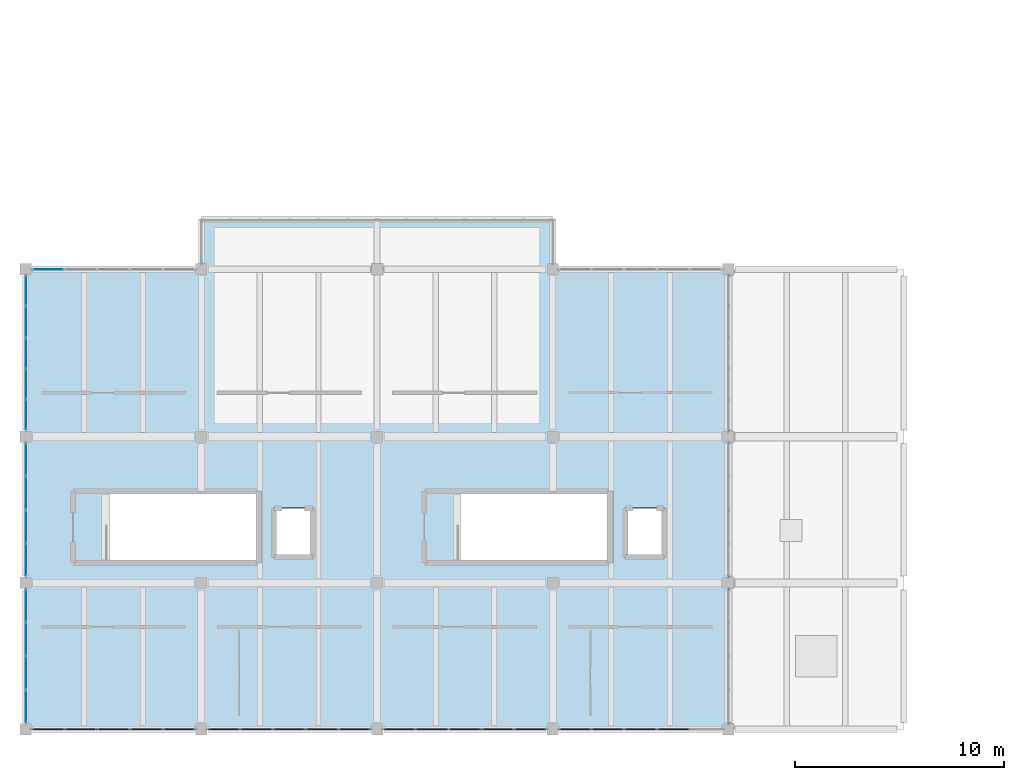
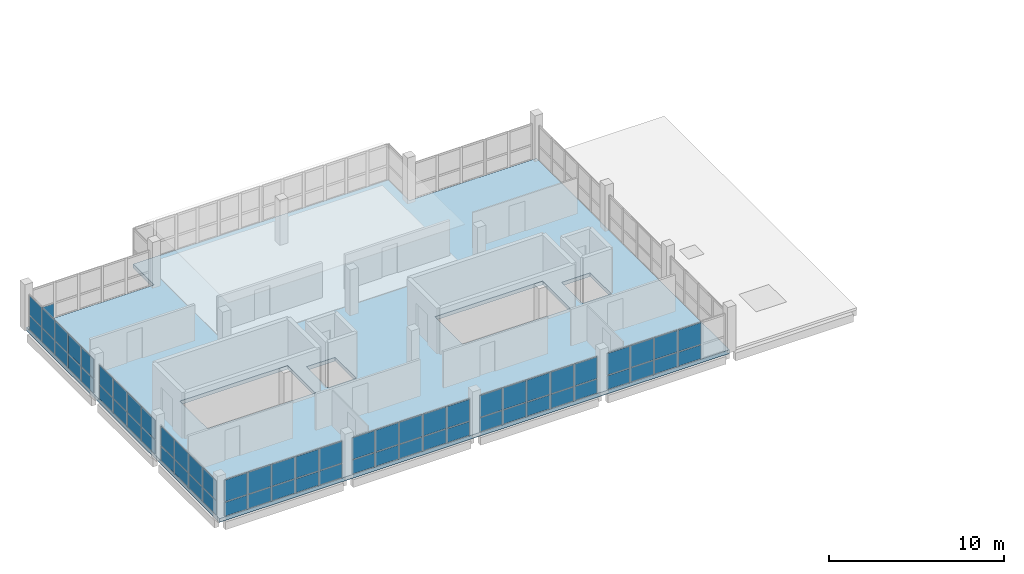
# One storey, part 19 of 24: 65 plates, 1 slab, 8 elements without a shape of their own.
"""IFC4 building model written with IfcOpenShell, lengths in metres."""

import ifcopenshell
import ifcopenshell.guid

model = None  # the IFC model being written
_history = None  # IfcOwnerHistory: only IFC2X3 demands one
_inside = {}  # id of a spatial element -> (the spatial element, [elements in it])
_under = {}  # id of a project, library or spatial element -> (it, [spatial elements below it])
_declared = {}  # id of a project -> (the project, [libraries it declares])
_typed = {}  # id of a type object -> (the type object, [elements of that type])
_made_of = {}  # id of a material, layer set ... -> (it, [elements and type objects made of it])


def new_model(schema):
    """Start an empty IFC model of exactly this schema.

    Asked for "IFC4X3", IfcOpenShell would pick the latest addendum, in which some entities
    have other attributes; the version numbers below select the first issue.
    IFC2X3 requires an IfcOwnerHistory on every rooted entity: one is made here for all.
    """
    global model, _history
    if schema == "IFC4X3":
        model = ifcopenshell.file(schema_version=(4, 3, 0, 0))
    else:
        model = ifcopenshell.file(schema=schema)
    _inside.clear()
    _under.clear()
    _declared.clear()
    _typed.clear()
    _made_of.clear()
    _history = None
    if model.schema == "IFC2X3":
        org = make("IfcOrganization", Name="unknown")
        user = make(
            "IfcPersonAndOrganization",
            ThePerson=make("IfcPerson", FamilyName="unknown"),
            TheOrganization=org,
        )
        app = make(
            "IfcApplication",
            ApplicationDeveloper=org,
            Version="unknown",
            ApplicationFullName="unknown",
            ApplicationIdentifier="unknown",
        )
        _history = make(
            "IfcOwnerHistory",
            OwningUser=user,
            OwningApplication=app,
            ChangeAction="ADDED",
            CreationDate=0,
        )
    return model


def make(cls, **values):
    """One entity of the class cls with the attributes given. An attribute that is None is left unset."""
    return model.create_entity(
        cls, **{name: value for name, value in values.items() if value is not None}
    )


def rooted(cls, **values):
    """An entity with a GlobalId (a new one), such as an element, a storey or a relation."""
    return make(cls, GlobalId=ifcopenshell.guid.new(), OwnerHistory=_history, **values)


def si_unit(unit_type, name, prefix=None):
    """IfcSIUnit, for example si_unit("LENGTHUNIT", "METRE", prefix="MILLI")."""
    return make("IfcSIUnit", UnitType=unit_type, Prefix=prefix, Name=name)


def assignment(units):
    """IfcUnitAssignment: the units of a project."""
    return None if units is None else make("IfcUnitAssignment", Units=units)


def point(xyz):
    """IfcCartesianPoint."""
    return None if xyz is None else make("IfcCartesianPoint", Coordinates=xyz)


def direction(xyz):
    """IfcDirection."""
    return None if xyz is None else make("IfcDirection", DirectionRatios=xyz)


def frame(location, z_axis=None, x_axis=None):
    """IfcAxis2Placement3D, a coordinate frame: its origin and axes. An axis left out is left unset."""
    return make(
        "IfcAxis2Placement3D",
        Location=point(location),
        Axis=direction(z_axis),
        RefDirection=direction(x_axis),
    )


def frame_2d(location, x_axis=None):
    """IfcAxis2Placement2D, a coordinate frame in the plane: its origin and x axis."""
    return make(
        "IfcAxis2Placement2D", Location=point(location), RefDirection=direction(x_axis)
    )


def origin():
    """The frame at (0, 0, 0) with its axes left unset."""
    return frame((0.0, 0.0, 0.0))


def origin_2d():
    """The frame at (0, 0) in the plane with its x axis left unset."""
    return frame_2d((0.0, 0.0))


def place(relative_to, where):
    """IfcLocalPlacement: puts the frame where relative to a parent placement (None: the world)."""
    return make(
        "IfcLocalPlacement", PlacementRelTo=relative_to, RelativePlacement=where
    )


def context(
    kind, dimensions, precision=None, world=None, true_north=None, identifier=None
):
    """IfcGeometricRepresentationContext, for example the 3D "Model" context."""
    return make(
        "IfcGeometricRepresentationContext",
        ContextIdentifier=identifier,
        ContextType=kind,
        CoordinateSpaceDimension=dimensions,
        Precision=precision,
        WorldCoordinateSystem=world,
        TrueNorth=true_north,
    )


def subcontext(parent, identifier, kind, view, scale=None):
    """IfcGeometricRepresentationSubContext, for example "Body" below "Model"."""
    return make(
        "IfcGeometricRepresentationSubContext",
        ContextIdentifier=identifier,
        ContextType=kind,
        ParentContext=parent,
        TargetScale=scale,
        TargetView=view,
    )


def project(units=None, contexts=None):
    """IfcProject with its units and contexts."""
    return rooted(
        "IfcProject",
        Name="project",
        RepresentationContexts=contexts,
        UnitsInContext=assignment(units),
    )


def spatial(cls, under=None, at=None, **own):
    """A site, building, storey or space (cls), placed at a placement, below another one or the project."""
    s = rooted(cls, ObjectPlacement=at, **own)
    if under is not None:
        _under.setdefault(under.id(), (under, []))[1].append(s)
    return s


def polyline(points):
    """IfcPolyline through the points."""
    return make("IfcPolyline", Points=[point(p) for p in points])


def profile(cls, at=None, kind="AREA", **sizes):
    """A parametric profile (cls). Its sizes go by their IFC names, for example OverallWidth=200.0."""
    return make(cls, ProfileType=kind, Position=at, **sizes)


def rectangle(**sizes):
    """IfcRectangleProfileDef."""
    return profile("IfcRectangleProfileDef", **sizes)


def outline(outer, holes=None, kind="AREA"):
    """IfcArbitraryClosedProfileDef: a profile drawn as a closed curve; with holes, ...WithVoids."""
    if holes is None:
        return make("IfcArbitraryClosedProfileDef", ProfileType=kind, OuterCurve=outer)
    return make(
        "IfcArbitraryProfileDefWithVoids",
        ProfileType=kind,
        OuterCurve=outer,
        InnerCurves=holes,
    )


def extrude(swept, where, along, depth):
    """IfcExtrudedAreaSolid: the profile swept, set in the frame where, extruded along a direction by depth."""
    return make(
        "IfcExtrudedAreaSolid",
        SweptArea=swept,
        Position=where,
        ExtrudedDirection=direction(along),
        Depth=depth,
    )


def shape(context_of_items, identifier, shape_type, items):
    """IfcShapeRepresentation: the items that make up one representation, for example the "Body"."""
    return make(
        "IfcShapeRepresentation",
        ContextOfItems=context_of_items,
        RepresentationIdentifier=identifier,
        RepresentationType=shape_type,
        Items=items,
    )


def material(Name=None, Category=None):
    """IfcMaterial."""
    return make("IfcMaterial", Name=Name, Category=Category)


def layer(
    of_material, thickness, ventilated=None, Name=None, Category=None, Priority=None
):
    """IfcMaterialLayer: one layer of a wall or slab, of a material (None: an air gap)."""
    return make(
        "IfcMaterialLayer",
        Material=of_material,
        LayerThickness=thickness,
        IsVentilated=ventilated,
        Name=Name,
        Category=Category,
        Priority=Priority,
    )


def layer_set(layers, Name=None):
    """IfcMaterialLayerSet."""
    return make("IfcMaterialLayerSet", MaterialLayers=layers, LayerSetName=Name)


def made_of(thing, what):
    """Note that an element or type object is made of a material, layer set ...; save() writes the relation."""
    if what is not None:
        _made_of.setdefault(what.id(), (what, []))[1].append(thing)
    return thing


def type_object(cls, material=None, **own):
    """A type object (cls), such as IfcWallType, which elements share."""
    return made_of(rooted(cls, **own), material)


def element(
    cls,
    number,
    at=None,
    inside=None,
    cuts=None,
    type_object=None,
    material=None,
    context=None,
    identifier="Body",
    shape_type=None,
    held_by="IfcProductDefinitionShape",
    body=None,
    shapes=None,
    **own,
):
    """One element of the class cls, such as IfcWall. Its Tag is "e" and its number.

    at: its placement. inside: the storey or other place that contains it. cuts: it is an
    opening in that element (IfcRelVoidsElement). A single representation is given by context,
    identifier, shape_type and body (its items); several are given by shapes. held_by: the class
    of the entity that holds the representations. save() writes the other relations.
    """
    e = rooted(cls, Tag="e%d" % number, ObjectPlacement=at, **own)
    if body is not None:
        shapes = [shape(context, identifier, shape_type, body)]
    if shapes is not None:
        e.Representation = make(held_by, Representations=shapes)
    if inside is not None:
        _inside.setdefault(inside.id(), (inside, []))[1].append(e)
    if cuts is not None:
        rooted(
            "IfcRelVoidsElement", RelatingBuildingElement=cuts, RelatedOpeningElement=e
        )
    if type_object is not None:
        _typed.setdefault(type_object.id(), (type_object, []))[1].append(e)
    return made_of(e, material)


def aggregate(whole, parts):
    """IfcRelAggregates: a whole, such as a stair, and the parts it consists of."""
    return rooted("IfcRelAggregates", RelatingObject=whole, RelatedObjects=parts)


def save(model, path):
    """Write the relations noted so far, then the file.

    IfcRelAggregates (storeys below a building ...), IfcRelContainedInSpatialStructure (elements
    in a storey), IfcRelDefinesByType, IfcRelAssociatesMaterial and IfcRelDeclares: one each for
    every whole, place, type object, material and project.
    """
    for whole, parts in _under.values():
        aggregate(whole, parts)
    for where, things in _inside.values():
        rooted(
            "IfcRelContainedInSpatialStructure",
            RelatedElements=things,
            RelatingStructure=where,
        )
    for kind, things in _typed.values():
        rooted("IfcRelDefinesByType", RelatedObjects=things, RelatingType=kind)
    for what, things in _made_of.values():
        rooted("IfcRelAssociatesMaterial", RelatedObjects=things, RelatingMaterial=what)
    for by, libraries in _declared.values():
        rooted("IfcRelDeclares", RelatingContext=by, RelatedDefinitions=libraries)
    model.write(path)


model = new_model("IFC4")

# Units and contexts
model_context = context("Model", 3, precision=1e-05, world=origin(), true_north=direction((0.0, 1.0)))
body_context = subcontext(model_context, "Body", "Model", "MODEL_VIEW")
ifc_project = project(units=[si_unit("LENGTHUNIT", "METRE"), si_unit("AREAUNIT", "SQUARE_METRE"), si_unit("VOLUMEUNIT", "CUBIC_METRE"), si_unit("PLANEANGLEUNIT", "RADIAN"), si_unit("MASSUNIT", "GRAM", prefix="KILO"), si_unit("THERMODYNAMICTEMPERATUREUNIT", "KELVIN"), si_unit("POWERUNIT", "WATT")], contexts=[model_context])

# Site, building, storey
site_placement = place(None, origin())
site = spatial("IfcSite", under=ifc_project, at=site_placement, CompositionType="ELEMENT")
building_placement = place(site_placement, origin())
building = spatial("IfcBuilding", under=site, at=building_placement, Name="Mavoryth Pier Ferry Terminal", CompositionType="ELEMENT")
storey_placement = place(building_placement, frame((0.0, 0.0, 16.320068359375)))
storey = spatial("IfcBuildingStorey", under=building, at=storey_placement, Name="L04", CompositionType="ELEMENT", Elevation=16.320068359375)

# Curtain wall, plate
ifc_material_1 = material(Name="Anodised Aluminium and Solar-Control Low-E Glass", Category="aluminium")
ifc_layer_1 = layer(ifc_material_1, 0.260009765625, Name="Anodised Aluminium and Solar-Control Low-E Glass", Category="aluminium")
ifc_layer_set_1 = layer_set([ifc_layer_1], Name="Anodised Aluminium and Solar-Control Low-E Glass - CW-VTSBridge-Mod1500")
curtain_wall_type = type_object("IfcCurtainWallType", Name="CW-VTSBridge-Mod1500", PredefinedType="USERDEFINED", material=ifc_layer_set_1)
curtain_wall_1_placement = place(storey_placement, origin())
curtain_wall_1 = element("IfcCurtainWall", 1, at=curtain_wall_1_placement, inside=storey, type_object=curtain_wall_type, Name="Curtain Wall CW-0422-150", ObjectType="UNITISED CURTAIN WALL", PredefinedType="USERDEFINED")
ifc_material_2 = material(Name="Solar-Control Low-E Laminated Double Glazing", Category="glass")
ifc_layer_2 = layer(ifc_material_2, 0.02392578125, Name="Solar-Control Low-E Laminated Double Glazing", Category="glass")
ifc_layer_set_2 = layer_set([ifc_layer_2], Name="Solar-Control Low-E Laminated Double Glazing - Panel-LowE-DGU-24")
plate_type_1 = type_object("IfcPlateType", Name="Panel-LowE-DGU-24", PredefinedType="CURTAIN_PANEL", material=ifc_layer_set_2)
plate_1_placement = place(storey_placement, frame((43.074951171875, 22.0, 0.06005859375), z_axis=(0.0, 0.0, 1.0), x_axis=(-1.0, 0.0, 0.0)))
plate_1 = element("IfcPlate", 2, at=plate_1_placement, type_object=plate_type_1, Name="CW07 panel 5.1", PredefinedType="CURTAIN_PANEL", context=body_context, shape_type="SweptSolid", body=[
    extrude(rectangle(XDim=1.47998046875, YDim=0.02392578125, at=origin_2d()), origin(), (0.0, 0.0, 1.0), 0.9599609375),
])
aggregate(curtain_wall_1, [plate_1])

# Curtain wall, plates
curtain_wall_2_placement = place(storey_placement, origin())
curtain_wall_2 = element("IfcCurtainWall", 3, at=curtain_wall_2_placement, inside=storey, type_object=curtain_wall_type, Name="Curtain Wall CW-0422-162", ObjectType="UNITISED CURTAIN WALL", PredefinedType="USERDEFINED")
plate_2_placement = place(storey_placement, frame((42.0, 5.90380859375, 0.06005859375), z_axis=(0.0, 0.0, 1.0), x_axis=(0.0, -1.0, 0.0)))
plate_2 = element("IfcPlate", 4, at=plate_2_placement, type_object=plate_type_1, Name="CW07 panel 1.1", PredefinedType="CURTAIN_PANEL", context=body_context, shape_type="SweptSolid", body=[
    extrude(rectangle(XDim=1.5224609375, YDim=0.02392578125, at=origin_2d()), origin(), (0.0, 0.0, 1.0), 0.9599609375),
])
plate_3_placement = place(storey_placement, frame((42.0, 5.90380859375, 1.079833984375), z_axis=(0.0, 0.0, 1.0), x_axis=(0.0, -1.0, 0.0)))
plate_3 = element("IfcPlate", 5, at=plate_3_placement, type_object=plate_type_1, Name="CW07 panel 1.2", PredefinedType="CURTAIN_PANEL", context=body_context, shape_type="SweptSolid", body=[
    extrude(rectangle(XDim=1.5224609375, YDim=0.02392578125, at=origin_2d()), origin(), (0.0, 0.0, 1.0), 1.3349609375),
])
plate_4_placement = place(storey_placement, frame((42.0, 4.30615234375, 0.06005859375), z_axis=(0.0, 0.0, 1.0), x_axis=(0.0, -1.0, 0.0)))
plate_4 = element("IfcPlate", 6, at=plate_4_placement, type_object=plate_type_1, Name="CW07 panel 2.1", PredefinedType="CURTAIN_PANEL", context=body_context, shape_type="SweptSolid", body=[
    extrude(rectangle(XDim=1.552490234375, YDim=0.02392578125, at=origin_2d()), origin(), (0.0, 0.0, 1.0), 0.9599609375),
])
plate_5_placement = place(storey_placement, frame((42.0, 4.30615234375, 1.079833984375), z_axis=(0.0, 0.0, 1.0), x_axis=(0.0, -1.0, 0.0)))
plate_5 = element("IfcPlate", 7, at=plate_5_placement, type_object=plate_type_1, Name="CW07 panel 2.2", PredefinedType="CURTAIN_PANEL", context=body_context, shape_type="SweptSolid", body=[
    extrude(rectangle(XDim=1.552490234375, YDim=0.02392578125, at=origin_2d()), origin(), (0.0, 0.0, 1.0), 1.3349609375),
])
plate_6_placement = place(storey_placement, frame((42.0, 2.69384765625, 0.06005859375), z_axis=(0.0, 0.0, 1.0), x_axis=(0.0, -1.0, 0.0)))
plate_6 = element("IfcPlate", 8, at=plate_6_placement, type_object=plate_type_1, Name="CW07 panel 3.1", PredefinedType="CURTAIN_PANEL", context=body_context, shape_type="SweptSolid", body=[
    extrude(rectangle(XDim=1.552490234375, YDim=0.02392578125, at=origin_2d()), origin(), (0.0, 0.0, 1.0), 0.9599609375),
])
plate_7_placement = place(storey_placement, frame((42.0, 2.69384765625, 1.079833984375), z_axis=(0.0, 0.0, 1.0), x_axis=(0.0, -1.0, 0.0)))
plate_7 = element("IfcPlate", 9, at=plate_7_placement, type_object=plate_type_1, Name="CW07 panel 3.2", PredefinedType="CURTAIN_PANEL", context=body_context, shape_type="SweptSolid", body=[
    extrude(rectangle(XDim=1.552490234375, YDim=0.02392578125, at=origin_2d()), origin(), (0.0, 0.0, 1.0), 1.3349609375),
])
plate_8_placement = place(storey_placement, frame((42.0, 1.09619140625, 0.06005859375), z_axis=(0.0, 0.0, 1.0), x_axis=(0.0, -1.0, 0.0)))
plate_8 = element("IfcPlate", 10, at=plate_8_placement, type_object=plate_type_1, Name="CW07 panel 4.1", PredefinedType="CURTAIN_PANEL", context=body_context, shape_type="SweptSolid", body=[
    extrude(rectangle(XDim=1.5224609375, YDim=0.02392578125, at=origin_2d()), origin(), (0.0, 0.0, 1.0), 0.9599609375),
])
plate_9_placement = place(storey_placement, frame((42.0, 1.09619140625, 1.079833984375), z_axis=(0.0, 0.0, 1.0), x_axis=(0.0, -1.0, 0.0)))
plate_9 = element("IfcPlate", 11, at=plate_9_placement, type_object=plate_type_1, Name="CW07 panel 4.2", PredefinedType="CURTAIN_PANEL", context=body_context, shape_type="SweptSolid", body=[
    extrude(rectangle(XDim=1.5224609375, YDim=0.02392578125, at=origin_2d()), origin(), (0.0, 0.0, 1.0), 1.3349609375),
])
aggregate(curtain_wall_2, [plate_2, plate_3, plate_4, plate_5, plate_6, plate_7, plate_8, plate_9])

curtain_wall_3_placement = place(storey_placement, origin())
curtain_wall_3 = element("IfcCurtainWall", 12, at=curtain_wall_3_placement, inside=storey, type_object=curtain_wall_type, Name="Curtain Wall CW-0422-163", ObjectType="UNITISED CURTAIN WALL", PredefinedType="USERDEFINED")
plate_10_placement = place(storey_placement, frame((42.0, 12.90380859375, 0.06005859375), z_axis=(0.0, 0.0, 1.0), x_axis=(0.0, -1.0, 0.0)))
plate_10 = element("IfcPlate", 13, at=plate_10_placement, type_object=plate_type_1, Name="CW07 panel 1.1", PredefinedType="CURTAIN_PANEL", context=body_context, shape_type="SweptSolid", body=[
    extrude(rectangle(XDim=1.5224609375, YDim=0.02392578125, at=origin_2d()), origin(), (0.0, 0.0, 1.0), 0.9599609375),
])
plate_11_placement = place(storey_placement, frame((42.0, 12.90380859375, 1.079833984375), z_axis=(0.0, 0.0, 1.0), x_axis=(0.0, -1.0, 0.0)))
plate_11 = element("IfcPlate", 14, at=plate_11_placement, type_object=plate_type_1, Name="CW07 panel 1.2", PredefinedType="CURTAIN_PANEL", context=body_context, shape_type="SweptSolid", body=[
    extrude(rectangle(XDim=1.5224609375, YDim=0.02392578125, at=origin_2d()), origin(), (0.0, 0.0, 1.0), 1.3349609375),
])
plate_12_placement = place(storey_placement, frame((42.0, 11.30615234375, 0.06005859375), z_axis=(0.0, 0.0, 1.0), x_axis=(0.0, -1.0, 0.0)))
plate_12 = element("IfcPlate", 15, at=plate_12_placement, type_object=plate_type_1, Name="CW07 panel 2.1", PredefinedType="CURTAIN_PANEL", context=body_context, shape_type="SweptSolid", body=[
    extrude(rectangle(XDim=1.552490234375, YDim=0.02392578125, at=origin_2d()), origin(), (0.0, 0.0, 1.0), 0.9599609375),
])
plate_13_placement = place(storey_placement, frame((42.0, 11.30615234375, 1.079833984375), z_axis=(0.0, 0.0, 1.0), x_axis=(0.0, -1.0, 0.0)))
plate_13 = element("IfcPlate", 16, at=plate_13_placement, type_object=plate_type_1, Name="CW07 panel 2.2", PredefinedType="CURTAIN_PANEL", context=body_context, shape_type="SweptSolid", body=[
    extrude(rectangle(XDim=1.552490234375, YDim=0.02392578125, at=origin_2d()), origin(), (0.0, 0.0, 1.0), 1.3349609375),
])
plate_14_placement = place(storey_placement, frame((42.0, 9.69384765625, 0.06005859375), z_axis=(0.0, 0.0, 1.0), x_axis=(0.0, -1.0, 0.0)))
plate_14 = element("IfcPlate", 17, at=plate_14_placement, type_object=plate_type_1, Name="CW07 panel 3.1", PredefinedType="CURTAIN_PANEL", context=body_context, shape_type="SweptSolid", body=[
    extrude(rectangle(XDim=1.552490234375, YDim=0.02392578125, at=origin_2d()), origin(), (0.0, 0.0, 1.0), 0.9599609375),
])
plate_15_placement = place(storey_placement, frame((42.0, 9.69384765625, 1.079833984375), z_axis=(0.0, 0.0, 1.0), x_axis=(0.0, -1.0, 0.0)))
plate_15 = element("IfcPlate", 18, at=plate_15_placement, type_object=plate_type_1, Name="CW07 panel 3.2", PredefinedType="CURTAIN_PANEL", context=body_context, shape_type="SweptSolid", body=[
    extrude(rectangle(XDim=1.552490234375, YDim=0.02392578125, at=origin_2d()), origin(), (0.0, 0.0, 1.0), 1.3349609375),
])
plate_16_placement = place(storey_placement, frame((42.0, 8.09619140625, 0.06005859375), z_axis=(0.0, 0.0, 1.0), x_axis=(0.0, -1.0, 0.0)))
plate_16 = element("IfcPlate", 19, at=plate_16_placement, type_object=plate_type_1, Name="CW07 panel 4.1", PredefinedType="CURTAIN_PANEL", context=body_context, shape_type="SweptSolid", body=[
    extrude(rectangle(XDim=1.5224609375, YDim=0.02392578125, at=origin_2d()), origin(), (0.0, 0.0, 1.0), 0.9599609375),
])
plate_17_placement = place(storey_placement, frame((42.0, 8.09619140625, 1.079833984375), z_axis=(0.0, 0.0, 1.0), x_axis=(0.0, -1.0, 0.0)))
plate_17 = element("IfcPlate", 20, at=plate_17_placement, type_object=plate_type_1, Name="CW07 panel 4.2", PredefinedType="CURTAIN_PANEL", context=body_context, shape_type="SweptSolid", body=[
    extrude(rectangle(XDim=1.5224609375, YDim=0.02392578125, at=origin_2d()), origin(), (0.0, 0.0, 1.0), 1.3349609375),
])
aggregate(curtain_wall_3, [plate_10, plate_11, plate_12, plate_13, plate_14, plate_15, plate_16, plate_17])

curtain_wall_4_placement = place(storey_placement, origin())
curtain_wall_4 = element("IfcCurtainWall", 21, at=curtain_wall_4_placement, inside=storey, type_object=curtain_wall_type, Name="Curtain Wall CW-0422-164", ObjectType="UNITISED CURTAIN WALL", PredefinedType="USERDEFINED")
plate_18_placement = place(storey_placement, frame((42.0, 20.965087890625, 0.06005859375), z_axis=(0.0, 0.0, 1.0), x_axis=(0.0, -1.0, 0.0)))
plate_18 = element("IfcPlate", 22, at=plate_18_placement, type_object=plate_type_1, Name="CW07 panel 1.1", PredefinedType="CURTAIN_PANEL", context=body_context, shape_type="SweptSolid", body=[
    extrude(rectangle(XDim=1.39990234375, YDim=0.02392578125, at=origin_2d()), origin(), (0.0, 0.0, 1.0), 0.9599609375),
])
plate_19_placement = place(storey_placement, frame((42.0, 20.965087890625, 1.079833984375), z_axis=(0.0, 0.0, 1.0), x_axis=(0.0, -1.0, 0.0)))
plate_19 = element("IfcPlate", 23, at=plate_19_placement, type_object=plate_type_1, Name="CW07 panel 1.2", PredefinedType="CURTAIN_PANEL", context=body_context, shape_type="SweptSolid", body=[
    extrude(rectangle(XDim=1.39990234375, YDim=0.02392578125, at=origin_2d()), origin(), (0.0, 0.0, 1.0), 1.3349609375),
])
plate_20_placement = place(storey_placement, frame((42.0, 19.489990234375, 0.06005859375), z_axis=(0.0, 0.0, 1.0), x_axis=(0.0, -1.0, 0.0)))
plate_20 = element("IfcPlate", 24, at=plate_20_placement, type_object=plate_type_1, Name="CW07 panel 2.1", PredefinedType="CURTAIN_PANEL", context=body_context, shape_type="SweptSolid", body=[
    extrude(rectangle(XDim=1.429931640625, YDim=0.02392578125, at=origin_2d()), origin(), (0.0, 0.0, 1.0), 0.9599609375),
])
plate_21_placement = place(storey_placement, frame((42.0, 19.489990234375, 1.079833984375), z_axis=(0.0, 0.0, 1.0), x_axis=(0.0, -1.0, 0.0)))
plate_21 = element("IfcPlate", 25, at=plate_21_placement, type_object=plate_type_1, Name="CW07 panel 2.2", PredefinedType="CURTAIN_PANEL", context=body_context, shape_type="SweptSolid", body=[
    extrude(rectangle(XDim=1.429931640625, YDim=0.02392578125, at=origin_2d()), origin(), (0.0, 0.0, 1.0), 1.3349609375),
])
plate_22_placement = place(storey_placement, frame((42.0, 18.0, 0.06005859375), z_axis=(0.0, 0.0, 1.0), x_axis=(0.0, -1.0, 0.0)))
plate_22 = element("IfcPlate", 26, at=plate_22_placement, type_object=plate_type_1, Name="CW07 panel 3.1", PredefinedType="CURTAIN_PANEL", context=body_context, shape_type="SweptSolid", body=[
    extrude(rectangle(XDim=1.429931640625, YDim=0.02392578125, at=origin_2d()), origin(), (0.0, 0.0, 1.0), 0.9599609375),
])
plate_23_placement = place(storey_placement, frame((42.0, 18.0, 1.079833984375), z_axis=(0.0, 0.0, 1.0), x_axis=(0.0, -1.0, 0.0)))
plate_23 = element("IfcPlate", 27, at=plate_23_placement, type_object=plate_type_1, Name="CW07 panel 3.2", PredefinedType="CURTAIN_PANEL", context=body_context, shape_type="SweptSolid", body=[
    extrude(rectangle(XDim=1.429931640625, YDim=0.02392578125, at=origin_2d()), origin(), (0.0, 0.0, 1.0), 1.3349609375),
])
plate_24_placement = place(storey_placement, frame((42.0, 16.510009765625, 0.06005859375), z_axis=(0.0, 0.0, 1.0), x_axis=(0.0, -1.0, 0.0)))
plate_24 = element("IfcPlate", 28, at=plate_24_placement, type_object=plate_type_1, Name="CW07 panel 4.1", PredefinedType="CURTAIN_PANEL", context=body_context, shape_type="SweptSolid", body=[
    extrude(rectangle(XDim=1.429931640625, YDim=0.02392578125, at=origin_2d()), origin(), (0.0, 0.0, 1.0), 0.9599609375),
])
plate_25_placement = place(storey_placement, frame((42.0, 16.510009765625, 1.079833984375), z_axis=(0.0, 0.0, 1.0), x_axis=(0.0, -1.0, 0.0)))
plate_25 = element("IfcPlate", 29, at=plate_25_placement, type_object=plate_type_1, Name="CW07 panel 4.2", PredefinedType="CURTAIN_PANEL", context=body_context, shape_type="SweptSolid", body=[
    extrude(rectangle(XDim=1.429931640625, YDim=0.02392578125, at=origin_2d()), origin(), (0.0, 0.0, 1.0), 1.3349609375),
])
plate_26_placement = place(storey_placement, frame((42.0, 15.034912109375, 0.06005859375), z_axis=(0.0, 0.0, 1.0), x_axis=(0.0, -1.0, 0.0)))
plate_26 = element("IfcPlate", 30, at=plate_26_placement, type_object=plate_type_1, Name="CW07 panel 5.1", PredefinedType="CURTAIN_PANEL", context=body_context, shape_type="SweptSolid", body=[
    extrude(rectangle(XDim=1.39990234375, YDim=0.02392578125, at=origin_2d()), origin(), (0.0, 0.0, 1.0), 0.9599609375),
])
plate_27_placement = place(storey_placement, frame((42.0, 15.034912109375, 1.079833984375), z_axis=(0.0, 0.0, 1.0), x_axis=(0.0, -1.0, 0.0)))
plate_27 = element("IfcPlate", 31, at=plate_27_placement, type_object=plate_type_1, Name="CW07 panel 5.2", PredefinedType="CURTAIN_PANEL", context=body_context, shape_type="SweptSolid", body=[
    extrude(rectangle(XDim=1.39990234375, YDim=0.02392578125, at=origin_2d()), origin(), (0.0, 0.0, 1.0), 1.3349609375),
])
aggregate(curtain_wall_4, [plate_18, plate_19, plate_20, plate_21, plate_22, plate_23, plate_24, plate_25, plate_26, plate_27])

curtain_wall_5_placement = place(storey_placement, origin())
curtain_wall_5 = element("IfcCurtainWall", 32, at=curtain_wall_5_placement, inside=storey, type_object=curtain_wall_type, Name="Curtain Wall CW-0422-149", ObjectType="UNITISED CURTAIN WALL", PredefinedType="USERDEFINED")
ifc_material_3 = material(Name="Marine Anti-Reflection Laminated Bridge Glass", Category="glass")
ifc_layer_3 = layer(ifc_material_3, 0.053955078125, Name="Marine Anti-Reflection Laminated Bridge Glass", Category="glass")
ifc_layer_set_3 = layer_set([ifc_layer_3], Name="Marine Anti-Reflection Laminated Bridge Glass - Panel-VTS-AntiGlare-54")
plate_type_2 = type_object("IfcPlateType", Name="Panel-VTS-AntiGlare-54", PredefinedType="CURTAIN_PANEL", material=ifc_layer_set_3)
plate_28_placement = place(storey_placement, frame((43.074951171875, 0.0, 0.06005859375), z_axis=(0.0, 0.0, 1.0), x_axis=(1.0, 0.0, 0.0)))
plate_28 = element("IfcPlate", 33, at=plate_28_placement, type_object=plate_type_2, Name="CW07 panel 1.1", PredefinedType="CURTAIN_PANEL", context=body_context, shape_type="SweptSolid", body=[
    extrude(rectangle(XDim=1.47998046875, YDim=0.053955078125, at=origin_2d()), origin(), (0.0, 0.0, 1.0), 0.9599609375),
])
plate_29_placement = place(storey_placement, frame((43.074951171875, 0.0, 1.079833984375), z_axis=(0.0, 0.0, 1.0), x_axis=(1.0, 0.0, 0.0)))
plate_29 = element("IfcPlate", 34, at=plate_29_placement, type_object=plate_type_2, Name="CW07 panel 1.2", PredefinedType="CURTAIN_PANEL", context=body_context, shape_type="SweptSolid", body=[
    extrude(rectangle(XDim=1.47998046875, YDim=0.053955078125, at=origin_2d()), origin(), (0.0, 0.0, 1.0), 1.4951171875),
])
plate_30_placement = place(storey_placement, frame((44.6298828125, 0.0, 0.06005859375), z_axis=(0.0, 0.0, 1.0), x_axis=(1.0, 0.0, 0.0)))
plate_30 = element("IfcPlate", 35, at=plate_30_placement, type_object=plate_type_2, Name="CW07 panel 2.1", PredefinedType="CURTAIN_PANEL", context=body_context, shape_type="SweptSolid", body=[
    extrude(rectangle(XDim=1.510009765625, YDim=0.053955078125, at=origin_2d()), origin(), (0.0, 0.0, 1.0), 0.9599609375),
])
plate_31_placement = place(storey_placement, frame((44.6298828125, 0.0, 1.079833984375), z_axis=(0.0, 0.0, 1.0), x_axis=(1.0, 0.0, 0.0)))
plate_31 = element("IfcPlate", 36, at=plate_31_placement, type_object=plate_type_2, Name="CW07 panel 2.2", PredefinedType="CURTAIN_PANEL", context=body_context, shape_type="SweptSolid", body=[
    extrude(rectangle(XDim=1.510009765625, YDim=0.053955078125, at=origin_2d()), origin(), (0.0, 0.0, 1.0), 1.4951171875),
])
plate_32_placement = place(storey_placement, frame((46.199951171875, 0.0, 0.06005859375), z_axis=(0.0, 0.0, 1.0), x_axis=(1.0, 0.0, 0.0)))
plate_32 = element("IfcPlate", 37, at=plate_32_placement, type_object=plate_type_2, Name="CW07 panel 3.1", PredefinedType="CURTAIN_PANEL", context=body_context, shape_type="SweptSolid", body=[
    extrude(rectangle(XDim=1.510009765625, YDim=0.053955078125, at=origin_2d()), origin(), (0.0, 0.0, 1.0), 0.9599609375),
])
plate_33_placement = place(storey_placement, frame((46.199951171875, 0.0, 1.079833984375), z_axis=(0.0, 0.0, 1.0), x_axis=(1.0, 0.0, 0.0)))
plate_33 = element("IfcPlate", 38, at=plate_33_placement, type_object=plate_type_2, Name="CW07 panel 3.2", PredefinedType="CURTAIN_PANEL", context=body_context, shape_type="SweptSolid", body=[
    extrude(rectangle(XDim=1.510009765625, YDim=0.053955078125, at=origin_2d()), origin(), (0.0, 0.0, 1.0), 1.4951171875),
])
plate_34_placement = place(storey_placement, frame((47.77001953125, 0.0, 0.06005859375), z_axis=(0.0, 0.0, 1.0), x_axis=(1.0, 0.0, 0.0)))
plate_34 = element("IfcPlate", 39, at=plate_34_placement, type_object=plate_type_2, Name="CW07 panel 4.1", PredefinedType="CURTAIN_PANEL", context=body_context, shape_type="SweptSolid", body=[
    extrude(rectangle(XDim=1.510009765625, YDim=0.053955078125, at=origin_2d()), origin(), (0.0, 0.0, 1.0), 0.9599609375),
])
plate_35_placement = place(storey_placement, frame((47.77001953125, 0.0, 1.079833984375), z_axis=(0.0, 0.0, 1.0), x_axis=(1.0, 0.0, 0.0)))
plate_35 = element("IfcPlate", 40, at=plate_35_placement, type_object=plate_type_2, Name="CW07 panel 4.2", PredefinedType="CURTAIN_PANEL", context=body_context, shape_type="SweptSolid", body=[
    extrude(rectangle(XDim=1.510009765625, YDim=0.053955078125, at=origin_2d()), origin(), (0.0, 0.0, 1.0), 1.4951171875),
])
plate_36_placement = place(storey_placement, frame((49.324951171875, 0.0, 0.06005859375), z_axis=(0.0, 0.0, 1.0), x_axis=(1.0, 0.0, 0.0)))
plate_36 = element("IfcPlate", 41, at=plate_36_placement, type_object=plate_type_2, Name="CW07 panel 5.1", PredefinedType="CURTAIN_PANEL", context=body_context, shape_type="SweptSolid", body=[
    extrude(rectangle(XDim=1.47998046875, YDim=0.053955078125, at=origin_2d()), origin(), (0.0, 0.0, 1.0), 0.9599609375),
])
plate_37_placement = place(storey_placement, frame((49.324951171875, 0.0, 1.079833984375), z_axis=(0.0, 0.0, 1.0), x_axis=(1.0, 0.0, 0.0)))
plate_37 = element("IfcPlate", 42, at=plate_37_placement, type_object=plate_type_2, Name="CW07 panel 5.2", PredefinedType="CURTAIN_PANEL", context=body_context, shape_type="SweptSolid", body=[
    extrude(rectangle(XDim=1.47998046875, YDim=0.053955078125, at=origin_2d()), origin(), (0.0, 0.0, 1.0), 1.4951171875),
])
aggregate(curtain_wall_5, [plate_28, plate_29, plate_30, plate_31, plate_32, plate_33, plate_34, plate_35, plate_36, plate_37])

curtain_wall_6_placement = place(storey_placement, origin())
curtain_wall_6 = element("IfcCurtainWall", 43, at=curtain_wall_6_placement, inside=storey, type_object=curtain_wall_type, Name="Curtain Wall CW-0422-151", ObjectType="UNITISED CURTAIN WALL", PredefinedType="USERDEFINED")
plate_38_placement = place(storey_placement, frame((51.47509765625, 0.0, 0.06005859375), z_axis=(0.0, 0.0, 1.0), x_axis=(1.0, 0.0, 0.0)))
plate_38 = element("IfcPlate", 44, at=plate_38_placement, type_object=plate_type_2, Name="CW07 panel 1.1", PredefinedType="CURTAIN_PANEL", context=body_context, shape_type="SweptSolid", body=[
    extrude(rectangle(XDim=1.47998046875, YDim=0.053955078125, at=origin_2d()), origin(), (0.0, 0.0, 1.0), 0.9599609375),
])
plate_39_placement = place(storey_placement, frame((51.47509765625, 0.0, 1.079833984375), z_axis=(0.0, 0.0, 1.0), x_axis=(1.0, 0.0, 0.0)))
plate_39 = element("IfcPlate", 45, at=plate_39_placement, type_object=plate_type_2, Name="CW07 panel 1.2", PredefinedType="CURTAIN_PANEL", context=body_context, shape_type="SweptSolid", body=[
    extrude(rectangle(XDim=1.47998046875, YDim=0.053955078125, at=origin_2d()), origin(), (0.0, 0.0, 1.0), 1.4951171875),
])
plate_40_placement = place(storey_placement, frame((53.030029296875, 0.0, 0.06005859375), z_axis=(0.0, 0.0, 1.0), x_axis=(1.0, 0.0, 0.0)))
plate_40 = element("IfcPlate", 46, at=plate_40_placement, type_object=plate_type_2, Name="CW07 panel 2.1", PredefinedType="CURTAIN_PANEL", context=body_context, shape_type="SweptSolid", body=[
    extrude(rectangle(XDim=1.510009765625, YDim=0.053955078125, at=origin_2d()), origin(), (0.0, 0.0, 1.0), 0.9599609375),
])
plate_41_placement = place(storey_placement, frame((53.030029296875, 0.0, 1.079833984375), z_axis=(0.0, 0.0, 1.0), x_axis=(1.0, 0.0, 0.0)))
plate_41 = element("IfcPlate", 47, at=plate_41_placement, type_object=plate_type_2, Name="CW07 panel 2.2", PredefinedType="CURTAIN_PANEL", context=body_context, shape_type="SweptSolid", body=[
    extrude(rectangle(XDim=1.510009765625, YDim=0.053955078125, at=origin_2d()), origin(), (0.0, 0.0, 1.0), 1.4951171875),
])
plate_42_placement = place(storey_placement, frame((54.60009765625, 0.0, 0.06005859375), z_axis=(0.0, 0.0, 1.0), x_axis=(1.0, 0.0, 0.0)))
plate_42 = element("IfcPlate", 48, at=plate_42_placement, type_object=plate_type_2, Name="CW07 panel 3.1", PredefinedType="CURTAIN_PANEL", context=body_context, shape_type="SweptSolid", body=[
    extrude(rectangle(XDim=1.510009765625, YDim=0.053955078125, at=origin_2d()), origin(), (0.0, 0.0, 1.0), 0.9599609375),
])
plate_43_placement = place(storey_placement, frame((54.60009765625, 0.0, 1.079833984375), z_axis=(0.0, 0.0, 1.0), x_axis=(1.0, 0.0, 0.0)))
plate_43 = element("IfcPlate", 49, at=plate_43_placement, type_object=plate_type_2, Name="CW07 panel 3.2", PredefinedType="CURTAIN_PANEL", context=body_context, shape_type="SweptSolid", body=[
    extrude(rectangle(XDim=1.510009765625, YDim=0.053955078125, at=origin_2d()), origin(), (0.0, 0.0, 1.0), 1.4951171875),
])
plate_44_placement = place(storey_placement, frame((56.169921875, 0.0, 0.06005859375), z_axis=(0.0, 0.0, 1.0), x_axis=(1.0, 0.0, 0.0)))
plate_44 = element("IfcPlate", 50, at=plate_44_placement, type_object=plate_type_2, Name="CW07 panel 4.1", PredefinedType="CURTAIN_PANEL", context=body_context, shape_type="SweptSolid", body=[
    extrude(rectangle(XDim=1.510009765625, YDim=0.053955078125, at=origin_2d()), origin(), (0.0, 0.0, 1.0), 0.9599609375),
])
plate_45_placement = place(storey_placement, frame((56.169921875, 0.0, 1.079833984375), z_axis=(0.0, 0.0, 1.0), x_axis=(1.0, 0.0, 0.0)))
plate_45 = element("IfcPlate", 51, at=plate_45_placement, type_object=plate_type_2, Name="CW07 panel 4.2", PredefinedType="CURTAIN_PANEL", context=body_context, shape_type="SweptSolid", body=[
    extrude(rectangle(XDim=1.510009765625, YDim=0.053955078125, at=origin_2d()), origin(), (0.0, 0.0, 1.0), 1.4951171875),
])
plate_46_placement = place(storey_placement, frame((57.72509765625, 0.0, 0.06005859375), z_axis=(0.0, 0.0, 1.0), x_axis=(1.0, 0.0, 0.0)))
plate_46 = element("IfcPlate", 52, at=plate_46_placement, type_object=plate_type_2, Name="CW07 panel 5.1", PredefinedType="CURTAIN_PANEL", context=body_context, shape_type="SweptSolid", body=[
    extrude(rectangle(XDim=1.47998046875, YDim=0.053955078125, at=origin_2d()), origin(), (0.0, 0.0, 1.0), 0.9599609375),
])
plate_47_placement = place(storey_placement, frame((57.72509765625, 0.0, 1.079833984375), z_axis=(0.0, 0.0, 1.0), x_axis=(1.0, 0.0, 0.0)))
plate_47 = element("IfcPlate", 53, at=plate_47_placement, type_object=plate_type_2, Name="CW07 panel 5.2", PredefinedType="CURTAIN_PANEL", context=body_context, shape_type="SweptSolid", body=[
    extrude(rectangle(XDim=1.47998046875, YDim=0.053955078125, at=origin_2d()), origin(), (0.0, 0.0, 1.0), 1.4951171875),
])
aggregate(curtain_wall_6, [plate_38, plate_39, plate_40, plate_41, plate_42, plate_43, plate_44, plate_45, plate_46, plate_47])

curtain_wall_7_placement = place(storey_placement, origin())
curtain_wall_7 = element("IfcCurtainWall", 54, at=curtain_wall_7_placement, inside=storey, type_object=curtain_wall_type, Name="Curtain Wall CW-0422-153", ObjectType="UNITISED CURTAIN WALL", PredefinedType="USERDEFINED")
plate_48_placement = place(storey_placement, frame((59.875, 0.0, 0.06005859375), z_axis=(0.0, 0.0, 1.0), x_axis=(1.0, 0.0, 0.0)))
plate_48 = element("IfcPlate", 55, at=plate_48_placement, type_object=plate_type_2, Name="CW07 panel 1.1", PredefinedType="CURTAIN_PANEL", context=body_context, shape_type="SweptSolid", body=[
    extrude(rectangle(XDim=1.47998046875, YDim=0.053955078125, at=origin_2d()), origin(), (0.0, 0.0, 1.0), 0.9599609375),
])
plate_49_placement = place(storey_placement, frame((59.875, 0.0, 1.079833984375), z_axis=(0.0, 0.0, 1.0), x_axis=(1.0, 0.0, 0.0)))
plate_49 = element("IfcPlate", 56, at=plate_49_placement, type_object=plate_type_2, Name="CW07 panel 1.2", PredefinedType="CURTAIN_PANEL", context=body_context, shape_type="SweptSolid", body=[
    extrude(rectangle(XDim=1.47998046875, YDim=0.053955078125, at=origin_2d()), origin(), (0.0, 0.0, 1.0), 1.4951171875),
])
plate_50_placement = place(storey_placement, frame((61.429931640625, 0.0, 0.06005859375), z_axis=(0.0, 0.0, 1.0), x_axis=(1.0, 0.0, 0.0)))
plate_50 = element("IfcPlate", 57, at=plate_50_placement, type_object=plate_type_2, Name="CW07 panel 2.1", PredefinedType="CURTAIN_PANEL", context=body_context, shape_type="SweptSolid", body=[
    extrude(rectangle(XDim=1.510009765625, YDim=0.053955078125, at=origin_2d()), origin(), (0.0, 0.0, 1.0), 0.9599609375),
])
plate_51_placement = place(storey_placement, frame((61.429931640625, 0.0, 1.079833984375), z_axis=(0.0, 0.0, 1.0), x_axis=(1.0, 0.0, 0.0)))
plate_51 = element("IfcPlate", 58, at=plate_51_placement, type_object=plate_type_2, Name="CW07 panel 2.2", PredefinedType="CURTAIN_PANEL", context=body_context, shape_type="SweptSolid", body=[
    extrude(rectangle(XDim=1.510009765625, YDim=0.053955078125, at=origin_2d()), origin(), (0.0, 0.0, 1.0), 1.4951171875),
])
plate_52_placement = place(storey_placement, frame((63.0, 0.0, 0.06005859375), z_axis=(0.0, 0.0, 1.0), x_axis=(1.0, 0.0, 0.0)))
plate_52 = element("IfcPlate", 59, at=plate_52_placement, type_object=plate_type_2, Name="CW07 panel 3.1", PredefinedType="CURTAIN_PANEL", context=body_context, shape_type="SweptSolid", body=[
    extrude(rectangle(XDim=1.510009765625, YDim=0.053955078125, at=origin_2d()), origin(), (0.0, 0.0, 1.0), 0.9599609375),
])
plate_53_placement = place(storey_placement, frame((63.0, 0.0, 1.079833984375), z_axis=(0.0, 0.0, 1.0), x_axis=(1.0, 0.0, 0.0)))
plate_53 = element("IfcPlate", 60, at=plate_53_placement, type_object=plate_type_2, Name="CW07 panel 3.2", PredefinedType="CURTAIN_PANEL", context=body_context, shape_type="SweptSolid", body=[
    extrude(rectangle(XDim=1.510009765625, YDim=0.053955078125, at=origin_2d()), origin(), (0.0, 0.0, 1.0), 1.4951171875),
])
plate_54_placement = place(storey_placement, frame((64.570068359375, 0.0, 0.06005859375), z_axis=(0.0, 0.0, 1.0), x_axis=(1.0, 0.0, 0.0)))
plate_54 = element("IfcPlate", 61, at=plate_54_placement, type_object=plate_type_2, Name="CW07 panel 4.1", PredefinedType="CURTAIN_PANEL", context=body_context, shape_type="SweptSolid", body=[
    extrude(rectangle(XDim=1.510009765625, YDim=0.053955078125, at=origin_2d()), origin(), (0.0, 0.0, 1.0), 0.9599609375),
])
plate_55_placement = place(storey_placement, frame((64.570068359375, 0.0, 1.079833984375), z_axis=(0.0, 0.0, 1.0), x_axis=(1.0, 0.0, 0.0)))
plate_55 = element("IfcPlate", 62, at=plate_55_placement, type_object=plate_type_2, Name="CW07 panel 4.2", PredefinedType="CURTAIN_PANEL", context=body_context, shape_type="SweptSolid", body=[
    extrude(rectangle(XDim=1.510009765625, YDim=0.053955078125, at=origin_2d()), origin(), (0.0, 0.0, 1.0), 1.4951171875),
])
plate_56_placement = place(storey_placement, frame((66.125, 0.0, 0.06005859375), z_axis=(0.0, 0.0, 1.0), x_axis=(1.0, 0.0, 0.0)))
plate_56 = element("IfcPlate", 63, at=plate_56_placement, type_object=plate_type_2, Name="CW07 panel 5.1", PredefinedType="CURTAIN_PANEL", context=body_context, shape_type="SweptSolid", body=[
    extrude(rectangle(XDim=1.47998046875, YDim=0.053955078125, at=origin_2d()), origin(), (0.0, 0.0, 1.0), 0.9599609375),
])
plate_57_placement = place(storey_placement, frame((66.125, 0.0, 1.079833984375), z_axis=(0.0, 0.0, 1.0), x_axis=(1.0, 0.0, 0.0)))
plate_57 = element("IfcPlate", 64, at=plate_57_placement, type_object=plate_type_2, Name="CW07 panel 5.2", PredefinedType="CURTAIN_PANEL", context=body_context, shape_type="SweptSolid", body=[
    extrude(rectangle(XDim=1.47998046875, YDim=0.053955078125, at=origin_2d()), origin(), (0.0, 0.0, 1.0), 1.4951171875),
])
aggregate(curtain_wall_7, [plate_48, plate_49, plate_50, plate_51, plate_52, plate_53, plate_54, plate_55, plate_56, plate_57])

curtain_wall_8_placement = place(storey_placement, origin())
curtain_wall_8 = element("IfcCurtainWall", 65, at=curtain_wall_8_placement, inside=storey, type_object=curtain_wall_type, Name="Curtain Wall CW-0422-155", ObjectType="UNITISED CURTAIN WALL", PredefinedType="USERDEFINED")
plate_58_placement = place(storey_placement, frame((68.27490234375, 0.0, 0.06005859375), z_axis=(0.0, 0.0, 1.0), x_axis=(1.0, 0.0, 0.0)))
plate_58 = element("IfcPlate", 66, at=plate_58_placement, type_object=plate_type_2, Name="CW07 panel 1.1", PredefinedType="CURTAIN_PANEL", context=body_context, shape_type="SweptSolid", body=[
    extrude(rectangle(XDim=1.47998046875, YDim=0.053955078125, at=origin_2d()), origin(), (0.0, 0.0, 1.0), 0.9599609375),
])
plate_59_placement = place(storey_placement, frame((68.27490234375, 0.0, 1.079833984375), z_axis=(0.0, 0.0, 1.0), x_axis=(1.0, 0.0, 0.0)))
plate_59 = element("IfcPlate", 67, at=plate_59_placement, type_object=plate_type_2, Name="CW07 panel 1.2", PredefinedType="CURTAIN_PANEL", context=body_context, shape_type="SweptSolid", body=[
    extrude(rectangle(XDim=1.47998046875, YDim=0.053955078125, at=origin_2d()), origin(), (0.0, 0.0, 1.0), 1.4951171875),
])
plate_60_placement = place(storey_placement, frame((69.830078125, 0.0, 0.06005859375), z_axis=(0.0, 0.0, 1.0), x_axis=(1.0, 0.0, 0.0)))
plate_60 = element("IfcPlate", 68, at=plate_60_placement, type_object=plate_type_2, Name="CW07 panel 2.1", PredefinedType="CURTAIN_PANEL", context=body_context, shape_type="SweptSolid", body=[
    extrude(rectangle(XDim=1.510009765625, YDim=0.053955078125, at=origin_2d()), origin(), (0.0, 0.0, 1.0), 0.9599609375),
])
plate_61_placement = place(storey_placement, frame((69.830078125, 0.0, 1.079833984375), z_axis=(0.0, 0.0, 1.0), x_axis=(1.0, 0.0, 0.0)))
plate_61 = element("IfcPlate", 69, at=plate_61_placement, type_object=plate_type_2, Name="CW07 panel 2.2", PredefinedType="CURTAIN_PANEL", context=body_context, shape_type="SweptSolid", body=[
    extrude(rectangle(XDim=1.510009765625, YDim=0.053955078125, at=origin_2d()), origin(), (0.0, 0.0, 1.0), 1.4951171875),
])
plate_62_placement = place(storey_placement, frame((71.39990234375, 0.0, 0.06005859375), z_axis=(0.0, 0.0, 1.0), x_axis=(1.0, 0.0, 0.0)))
plate_62 = element("IfcPlate", 70, at=plate_62_placement, type_object=plate_type_2, Name="CW07 panel 3.1", PredefinedType="CURTAIN_PANEL", context=body_context, shape_type="SweptSolid", body=[
    extrude(rectangle(XDim=1.510009765625, YDim=0.053955078125, at=origin_2d()), origin(), (0.0, 0.0, 1.0), 0.9599609375),
])
plate_63_placement = place(storey_placement, frame((71.39990234375, 0.0, 1.079833984375), z_axis=(0.0, 0.0, 1.0), x_axis=(1.0, 0.0, 0.0)))
plate_63 = element("IfcPlate", 71, at=plate_63_placement, type_object=plate_type_2, Name="CW07 panel 3.2", PredefinedType="CURTAIN_PANEL", context=body_context, shape_type="SweptSolid", body=[
    extrude(rectangle(XDim=1.510009765625, YDim=0.053955078125, at=origin_2d()), origin(), (0.0, 0.0, 1.0), 1.4951171875),
])
plate_64_placement = place(storey_placement, frame((72.969970703125, 0.0, 0.06005859375), z_axis=(0.0, 0.0, 1.0), x_axis=(1.0, 0.0, 0.0)))
plate_64 = element("IfcPlate", 72, at=plate_64_placement, type_object=plate_type_2, Name="CW07 panel 4.1", PredefinedType="CURTAIN_PANEL", context=body_context, shape_type="SweptSolid", body=[
    extrude(rectangle(XDim=1.510009765625, YDim=0.053955078125, at=origin_2d()), origin(), (0.0, 0.0, 1.0), 0.9599609375),
])
plate_65_placement = place(storey_placement, frame((72.969970703125, 0.0, 1.079833984375), z_axis=(0.0, 0.0, 1.0), x_axis=(1.0, 0.0, 0.0)))
plate_65 = element("IfcPlate", 73, at=plate_65_placement, type_object=plate_type_2, Name="CW07 panel 4.2", PredefinedType="CURTAIN_PANEL", context=body_context, shape_type="SweptSolid", body=[
    extrude(rectangle(XDim=1.510009765625, YDim=0.053955078125, at=origin_2d()), origin(), (0.0, 0.0, 1.0), 1.4951171875),
])
aggregate(curtain_wall_8, [plate_58, plate_59, plate_60, plate_61, plate_62, plate_63, plate_64, plate_65])

# Slab
ifc_material_4 = material(Name="Concrete C35/45", Category="concrete")
ifc_layer_4 = layer(ifc_material_4, 0.260009765625, Name="Concrete C35/45", Category="concrete")
ifc_layer_set_4 = layer_set([ifc_layer_4], Name="Concrete C35/45 - Slab-Floor-Operations-260")
slab_type = type_object("IfcSlabType", Name="Slab-Floor-Operations-260", PredefinedType="FLOOR", material=ifc_layer_set_4)
slab_placement = place(storey_placement, frame((0.0, 0.0, -0.260009765625)))
element("IfcSlab", 74, at=slab_placement, inside=storey, type_object=slab_type, Name="Slab SLB-V5-L04", PredefinedType="FLOOR", context=body_context, shape_type="SweptSolid", body=[
    extrude(outline(polyline([(42.0, 0.0), (75.60009765625, 0.0), (75.60009765625, 22.0), (67.199951171875, 22.0), (67.199951171875, 24.39990234375), (50.39990234375, 24.39990234375), (50.39990234375, 22.0), (42.0, 22.0), (42.0, 0.0)]), holes=[polyline([(45.89990234375, 8.10009765625), (53.0, 8.10009765625), (53.0, 11.25), (45.89990234375, 11.25), (45.89990234375, 8.10009765625)]), polyline([(62.699951171875, 8.10009765625), (69.800048828125, 8.10009765625), (69.800048828125, 11.25), (62.699951171875, 11.25), (62.699951171875, 8.10009765625)]), polyline([(53.85009765625, 8.199951171875), (55.75, 8.199951171875), (55.75, 10.60009765625), (53.85009765625, 10.60009765625), (53.85009765625, 8.199951171875)]), polyline([(70.64990234375, 8.199951171875), (72.550048828125, 8.199951171875), (72.550048828125, 10.60009765625), (70.64990234375, 10.60009765625), (70.64990234375, 8.199951171875)])]), origin(), (0.0, 0.0, 1.0), 0.260009765625),
])

save(model, "model.ifc")
